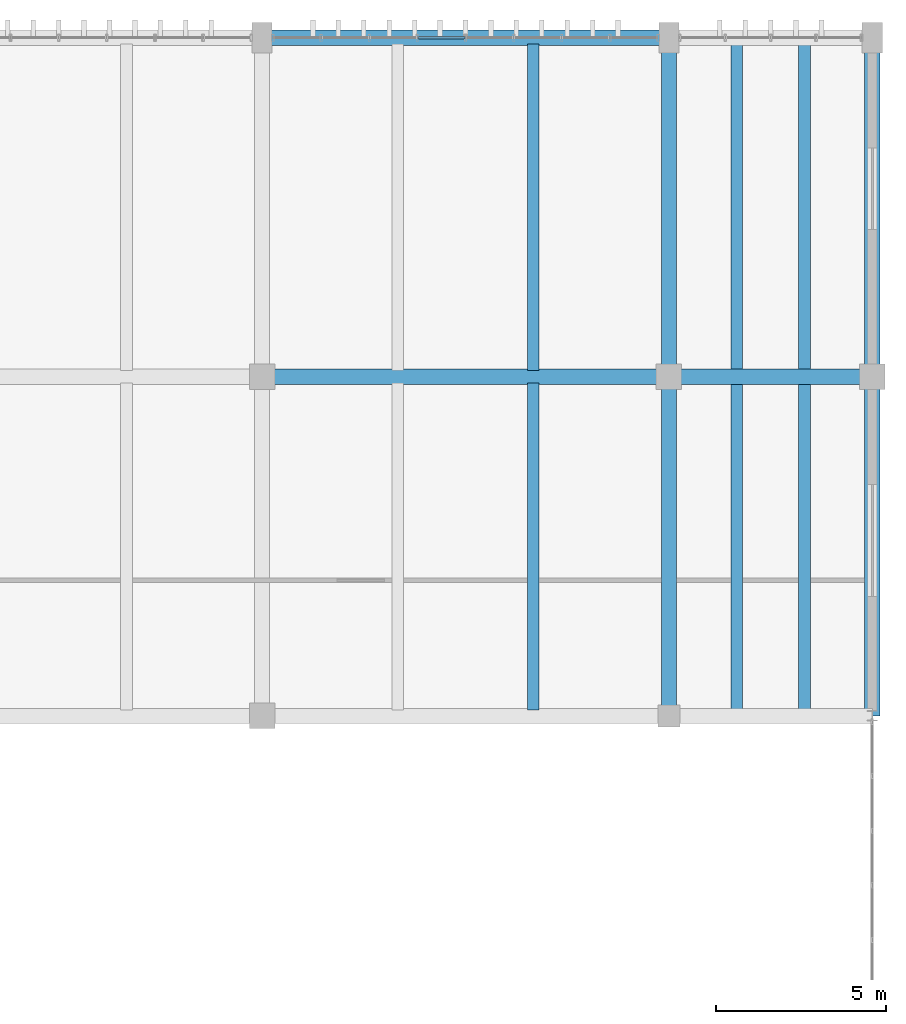
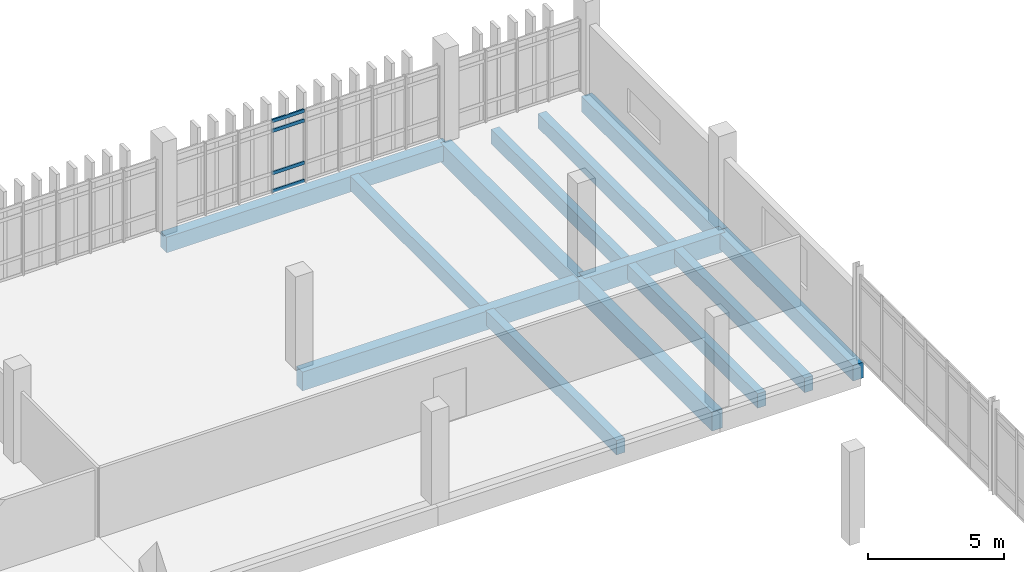
# One storey, part 119 of 161: 13 beams, 4 members, 1 element without a shape of its own.
"""IFC4 building model written with IfcOpenShell, lengths in metres."""

from ifc_helpers import new_model, si_unit, direction, frame, origin, origin_2d, place, context, subcontext, project, spatial, rectangle, hollow_rectangle, extrude, material, layer, layer_set, material_profile, profile_set, type_object, element, aggregate, save


model = new_model("IFC4")

# Units and contexts
model_context = context("Model", 3, precision=1e-05, world=origin(), true_north=direction((0.0, 1.0)))
body_context = subcontext(model_context, "Body", "Model", "MODEL_VIEW")
ifc_project = project(units=[si_unit("LENGTHUNIT", "METRE"), si_unit("AREAUNIT", "SQUARE_METRE"), si_unit("VOLUMEUNIT", "CUBIC_METRE"), si_unit("PLANEANGLEUNIT", "RADIAN"), si_unit("MASSUNIT", "GRAM", prefix="KILO")], contexts=[model_context])

# Site, building, storey
site_placement = place(None, origin())
site = spatial("IfcSite", under=ifc_project, at=site_placement, CompositionType="ELEMENT")
building_placement = place(site_placement, origin())
building = spatial("IfcBuilding", under=site, at=building_placement, Name="Mersad Railyard Sports Hall", CompositionType="ELEMENT")
storey_placement = place(building_placement, frame((0.0, 0.0, 4.800048828125)))
storey = spatial("IfcBuildingStorey", under=building, at=storey_placement, Name="L01", CompositionType="ELEMENT", Elevation=4.800048828125)

# Curtain wall, members
ifc_material_1 = material(Name="Aluminium 6063-T6", Category="aluminium")
ifc_layer = layer(ifc_material_1, 0.199951171875)
ifc_layer_set = layer_set([ifc_layer], Name="Aluminium 6063-T6")
curtain_wall_type = type_object("IfcCurtainWallType", Name="ARC-CW-CW34", PredefinedType="USERDEFINED", material=ifc_layer_set)
curtain_wall_placement = place(storey_placement, origin())
curtain_wall = element("IfcCurtainWall", 1, at=curtain_wall_placement, inside=storey, type_object=curtain_wall_type, Name="Curtain wall CW34-0102", ObjectType="CURTAIN WALL", PredefinedType="USERDEFINED")
ifc_material_profile_1 = material_profile(ifc_material_1, hollow_rectangle(XDim=0.06494140625, YDim=0.14990234375, WallThickness=0.00439453125, at=origin_2d()), Name="AL TRANSOM 65x150x4.5")
ifc_profile_set_1 = profile_set([ifc_material_profile_1], Name="Aluminium 6063-T6")
member_type = type_object("IfcMemberType", Name="ARC-CW-TRN02", PredefinedType="USERDEFINED", material=ifc_profile_set_1)
member_1_placement = place(storey_placement, frame((165.60009765625, 115.0, 0.0400390625), z_axis=(1.0, 0.0, 0.0), x_axis=(0.0, 1.0, 0.0)))
member_1 = element("IfcMember", 2, at=member_1_placement, type_object=member_type, Name="CW34 Transom 1-4", ObjectType="TRANSOM", PredefinedType="USERDEFINED", context=body_context, shape_type="SweptSolid", body=[
    extrude(hollow_rectangle(XDim=0.06494140625, YDim=0.14990234375, WallThickness=0.00439453125, at=origin_2d()), origin(), (0.0, 0.0, 1.0), 1.3798828125),
])
member_2_placement = place(storey_placement, frame((165.60009765625, 115.0, 0.849853515625), z_axis=(1.0, 0.0, 0.0), x_axis=(0.0, 1.0, 0.0)))
member_2 = element("IfcMember", 3, at=member_2_placement, type_object=member_type, Name="CW34 Transom 2-4", ObjectType="TRANSOM", PredefinedType="USERDEFINED", context=body_context, shape_type="SweptSolid", body=[
    extrude(hollow_rectangle(XDim=0.06494140625, YDim=0.14990234375, WallThickness=0.00439453125, at=origin_2d()), origin(), (0.0, 0.0, 1.0), 1.3798828125),
])
member_3_placement = place(storey_placement, frame((165.60009765625, 115.0, 2.75), z_axis=(1.0, 0.0, 0.0), x_axis=(0.0, 1.0, 0.0)))
member_3 = element("IfcMember", 4, at=member_3_placement, type_object=member_type, Name="CW34 Transom 3-4", ObjectType="TRANSOM", PredefinedType="USERDEFINED", context=body_context, shape_type="SweptSolid", body=[
    extrude(hollow_rectangle(XDim=0.06494140625, YDim=0.14990234375, WallThickness=0.00439453125, at=origin_2d()), origin(), (0.0, 0.0, 1.0), 1.3798828125),
])
member_4_placement = place(storey_placement, frame((165.60009765625, 115.0, 3.18994140625), z_axis=(1.0, 0.0, 0.0), x_axis=(0.0, 1.0, 0.0)))
member_4 = element("IfcMember", 5, at=member_4_placement, type_object=member_type, Name="CW34 Transom 4-4", ObjectType="TRANSOM", PredefinedType="USERDEFINED", context=body_context, shape_type="SweptSolid", body=[
    extrude(hollow_rectangle(XDim=0.06494140625, YDim=0.14990234375, WallThickness=0.00439453125, at=origin_2d()), origin(), (0.0, 0.0, 1.0), 1.3798828125),
])
aggregate(curtain_wall, [member_1, member_2, member_3, member_4])

# Beams
ifc_material_2 = material(Name="Concrete C40/50", Category="concrete")
ifc_material_profile_2 = material_profile(ifc_material_2, rectangle(XDim=0.449951171875, YDim=0.85009765625, at=origin_2d()), Name="RC 450x850")
ifc_profile_set_2 = profile_set([ifc_material_profile_2], Name="Concrete C40/50")
beam_type_1 = type_object("IfcBeamType", Name="STR-BM-B02", PredefinedType="BEAM", material=ifc_profile_set_2)
beam_1_placement = place(storey_placement, frame((161.0, 105.0, -0.72509765625), z_axis=(1.0, 0.0, 0.0), x_axis=(0.0, 1.0, 0.0)))
element("IfcBeam", 6, at=beam_1_placement, inside=storey, type_object=beam_type_1, Name="Beam B02-0989", PredefinedType="BEAM", context=body_context, shape_type="SweptSolid", body=[
    extrude(rectangle(XDim=0.449951171875, YDim=0.85009765625, at=origin_2d()), origin(), (0.0, 0.0, 1.0), 12.0),
])
beam_2_placement = place(storey_placement, frame((173.0, 105.0, -0.72509765625), z_axis=(1.0, 0.0, 0.0), x_axis=(0.0, 1.0, 0.0)))
element("IfcBeam", 7, at=beam_2_placement, inside=storey, type_object=beam_type_1, Name="Beam B02-0990", PredefinedType="BEAM", context=body_context, shape_type="SweptSolid", body=[
    extrude(rectangle(XDim=0.449951171875, YDim=0.85009765625, at=origin_2d()), origin(), (0.0, 0.0, 1.0), 6.0),
])
for number, where, z_axis, x_axis, name in (
    (8, (173.0, 95.0, -0.72509765625), (0.0, 1.0, 0.0), (-1.0, 0.0, 0.0), "Beam B02-1002"),
    (9, (173.0, 105.0, -0.72509765625), (0.0, 1.0, 0.0), (-1.0, 0.0, 0.0), "Beam B02-1003"),
):
    element("IfcBeam", number, at=place(storey_placement, frame(where, z_axis=z_axis, x_axis=x_axis)), inside=storey, type_object=beam_type_1, Name=name, PredefinedType="BEAM", context=body_context, shape_type="SweptSolid", body=[
        extrude(rectangle(XDim=0.449951171875, YDim=0.85009765625, at=origin_2d()), origin(), (0.0, 0.0, 1.0), 10.0),
    ])
ifc_material_profile_3 = material_profile(ifc_material_2, rectangle(XDim=0.35009765625, YDim=0.64990234375, at=origin_2d()), Name="RC 350x650")
ifc_profile_set_3 = profile_set([ifc_material_profile_3], Name="Concrete C40/50")
beam_type_2 = type_object("IfcBeamType", Name="STR-BM-J01", PredefinedType="JOIST", material=ifc_profile_set_3)
for number, where, z_axis, x_axis, name in (
    (10, (169.0, 95.179931640625, -0.625), (0.0, 1.0, 0.0), (-1.0, 0.0, 0.0), "Beam J01-1058"),
    (11, (169.0, 105.179931640625, -0.625), (0.0, 1.0, 0.0), (-1.0, 0.0, 0.0), "Beam J01-1060"),
    (12, (175.0, 95.179931640625, -0.625), (0.0, 1.0, 0.0), (-1.0, 0.0, 0.0), "Beam J01-1061"),
    (13, (177.0, 95.179931640625, -0.625), (0.0, 1.0, 0.0), (-1.0, 0.0, 0.0), "Beam J01-1062"),
    (14, (175.0, 105.179931640625, -0.625), (0.0, 1.0, 0.0), (-1.0, 0.0, 0.0), "Beam J01-1063"),
    (15, (177.0, 105.179931640625, -0.625), (0.0, 1.0, 0.0), (-1.0, 0.0, 0.0), "Beam J01-1064"),
):
    element("IfcBeam", number, at=place(storey_placement, frame(where, z_axis=z_axis, x_axis=x_axis)), inside=storey, type_object=beam_type_2, Name=name, PredefinedType="JOIST", context=body_context, shape_type="SweptSolid", body=[
        extrude(rectangle(XDim=0.35009765625, YDim=0.64990234375, at=origin_2d()), origin(), (0.0, 0.0, 1.0), 9.64013671875),
    ])
ifc_material_3 = material(Name="Architectural concrete C40/50", Category="concrete")
ifc_material_profile_4 = material_profile(ifc_material_3, rectangle(XDim=0.449951171875, YDim=0.699951171875, at=origin_2d()), Name="RC 450x700")
ifc_profile_set_4 = profile_set([ifc_material_profile_4], Name="Architectural concrete C40/50")
beam_type_3 = type_object("IfcBeamType", Name="STR-BM-SP01", PredefinedType="SPANDREL", material=ifc_profile_set_4)
beam_3_placement = place(storey_placement, frame((161.0, 115.0, -0.650146484375), z_axis=(1.0, 0.0, 0.0), x_axis=(0.0, 1.0, 0.0)))
element("IfcBeam", 16, at=beam_3_placement, inside=storey, type_object=beam_type_3, Name="Beam SP01-0994", PredefinedType="SPANDREL", context=body_context, shape_type="SweptSolid", body=[
    extrude(rectangle(XDim=0.449951171875, YDim=0.699951171875, at=origin_2d()), origin(), (0.0, 0.0, 1.0), 12.0),
])
for number, where, z_axis, x_axis, name in (
    (17, (179.0, 95.0, -0.650146484375), (0.0, 1.0, 0.0), (-1.0, 0.0, 0.0), "Beam SP01-1004"),
    (18, (179.0, 105.0, -0.650146484375), (0.0, 1.0, 0.0), (-1.0, 0.0, 0.0), "Beam SP01-1005"),
):
    element("IfcBeam", number, at=place(storey_placement, frame(where, z_axis=z_axis, x_axis=x_axis)), inside=storey, type_object=beam_type_3, Name=name, PredefinedType="SPANDREL", context=body_context, shape_type="SweptSolid", body=[
        extrude(rectangle(XDim=0.449951171875, YDim=0.699951171875, at=origin_2d()), origin(), (0.0, 0.0, 1.0), 10.0),
    ])

save(model, "model.ifc")
